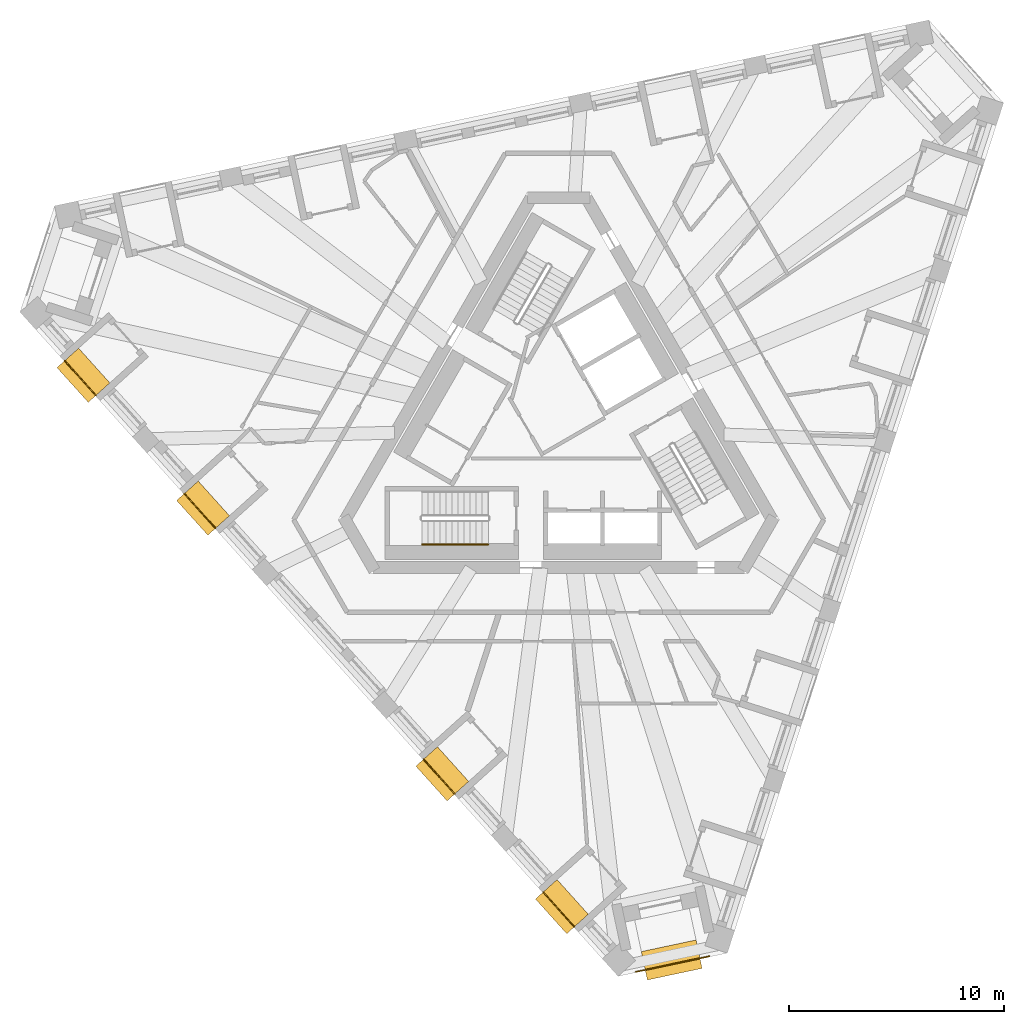
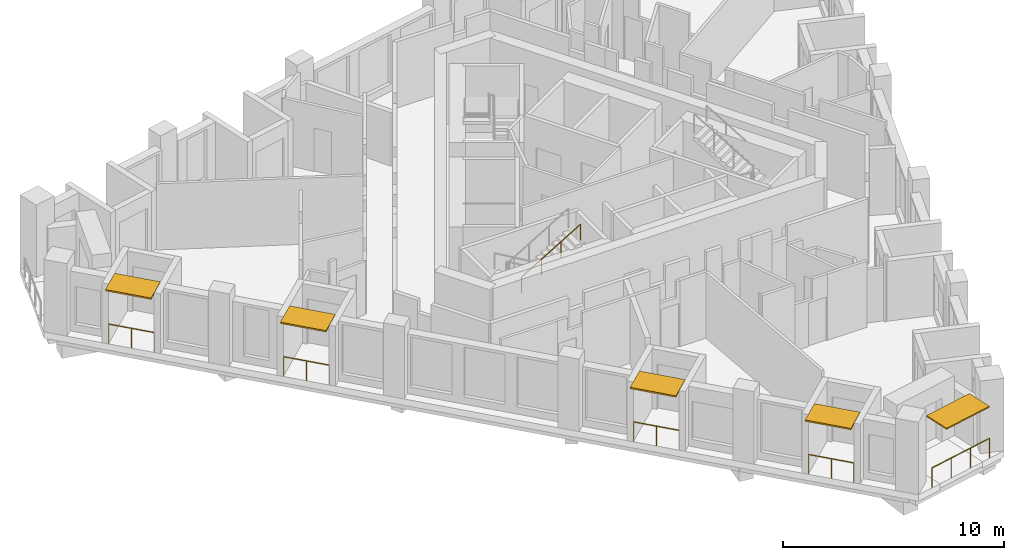
# One storey, part 9 of 12: 6 railings, 5 shading devices.
"""IFC4 building model written with IfcOpenShell, lengths in metres."""

from ifc_helpers import new_model, si_unit, direction, frame, origin, origin_2d, place, context, subcontext, project, spatial, rectangle, circle, extrude, material, layer, layer_set, type_object, element, save


model = new_model("IFC4")

# Units and contexts
model_context = context("Model", 3, precision=1e-05, world=origin(), true_north=direction((0.0, 1.0)))
body_context = subcontext(model_context, "Body", "Model", "MODEL_VIEW")
ifc_project = project(units=[si_unit("LENGTHUNIT", "METRE"), si_unit("AREAUNIT", "SQUARE_METRE"), si_unit("VOLUMEUNIT", "CUBIC_METRE"), si_unit("PLANEANGLEUNIT", "RADIAN"), si_unit("MASSUNIT", "GRAM", prefix="KILO")], contexts=[model_context])

# Site, building, storey
site_placement = place(None, origin())
site = spatial("IfcSite", under=ifc_project, at=site_placement, CompositionType="ELEMENT")
building_placement = place(site_placement, origin())
building = spatial("IfcBuilding", under=site, at=building_placement, Name="Tramontana Tower", CompositionType="ELEMENT")
storey_placement = place(building_placement, frame((0.0, 0.0, 332.39990234375)))
storey = spatial("IfcBuildingStorey", under=building, at=storey_placement, Name="L76", CompositionType="ELEMENT", Elevation=332.39990234375)

# Railings
ifc_material_1 = material(Name="Laminated glass balustrade", Category="glass")
railing_type_1 = type_object("IfcRailingType", Name="GD1 Loggia glass balustrade 1100", PredefinedType="BALUSTRADE", material=ifc_material_1)
railing_1_placement = place(storey_placement, frame((-22.977294921875, 3.146728515625, 0.0)))
element("IfcRailing", 1, at=railing_1_placement, inside=storey, type_object=railing_type_1, Name="Loggia balustrade L76 G8S0.1", PredefinedType="BALUSTRADE", context=body_context, shape_type="SweptSolid", body=[
    extrude(circle(Radius=0.02392578125, at=origin_2d()), frame((0.0, 0.0, 1.076171875), z_axis=(0.669082765552, -0.743187898745, 0.0), x_axis=(0.743187898745, 0.669082765552, 0.0)), (0.0, 0.0, 1.0), 2.171142578125),
    extrude(circle(Radius=0.02099609375, at=origin_2d()), origin(), (0.0, 0.0, 1.0), 1.052001953125),
    extrude(circle(Radius=0.02099609375, at=origin_2d()), frame((0.726318359375, -0.806640625, 0.0)), (0.0, 0.0, 1.0), 1.052001953125),
    extrude(circle(Radius=0.02099609375, at=origin_2d()), frame((1.45263671875, -1.613525390625, 0.0)), (0.0, 0.0, 1.0), 1.052001953125),
])
for number, where, name in (
    (2, (-17.414306640625, -3.03173828125, 0.0), "Loggia balustrade L76 G8S0.4"),
    (3, (-6.288330078125, -15.388427734375, 0.0), "Loggia balustrade L76 G8S0.10"),
):
    element("IfcRailing", number, at=place(storey_placement, frame(where)), inside=storey, type_object=railing_type_1, Name=name, PredefinedType="BALUSTRADE", context=body_context, shape_type="SweptSolid", body=[
        extrude(circle(Radius=0.02392578125, at=origin_2d()), frame((0.0, 0.0, 1.076171875), z_axis=(0.669144868344, -0.743131983681, 0.0), x_axis=(0.743131983681, 0.669144868344, 0.0)), (0.0, 0.0, 1.0), 2.171142578125),
        extrude(circle(Radius=0.02099609375, at=origin_2d()), origin(), (0.0, 0.0, 1.0), 1.052001953125),
        extrude(circle(Radius=0.02099609375, at=origin_2d()), frame((0.7265625, -0.806640625, 0.0)), (0.0, 0.0, 1.0), 1.052001953125),
        extrude(circle(Radius=0.02099609375, at=origin_2d()), frame((1.452880859375, -1.613525390625, 0.0)), (0.0, 0.0, 1.0), 1.052001953125),
    ])
railing_2_placement = place(storey_placement, frame((-0.72509765625, -21.56689453125, 0.0)))
element("IfcRailing", 4, at=railing_2_placement, inside=storey, type_object=railing_type_1, Name="Loggia balustrade L76 G8S0.13", PredefinedType="BALUSTRADE", context=body_context, shape_type="SweptSolid", body=[
    extrude(circle(Radius=0.02392578125, at=origin_2d()), frame((0.0, 0.0, 1.076171875), z_axis=(0.669082765552, -0.743187898745, 0.0), x_axis=(0.743187898745, 0.669082765552, 0.0)), (0.0, 0.0, 1.0), 2.171142578125),
    extrude(circle(Radius=0.02099609375, at=origin_2d()), origin(), (0.0, 0.0, 1.0), 1.052001953125),
    extrude(circle(Radius=0.02099609375, at=origin_2d()), frame((0.726318359375, -0.806640625, 0.0)), (0.0, 0.0, 1.0), 1.052001953125),
    extrude(circle(Radius=0.02099609375, at=origin_2d()), frame((1.45263671875, -1.613525390625, 0.0)), (0.0, 0.0, 1.0), 1.052001953125),
])
railing_3_placement = place(storey_placement, frame((7.00732421875, -24.549560546875, 0.0)))
element("IfcRailing", 5, at=railing_3_placement, inside=storey, type_object=railing_type_1, Name="Corner loggia balustrade L76 K81", PredefinedType="BALUSTRADE", context=body_context, shape_type="SweptSolid", body=[
    extrude(circle(Radius=0.02392578125, at=origin_2d()), frame((0.0, 0.0, 1.076171875), z_axis=(-0.978143070564, -0.20793300245, 0.0), x_axis=(0.20793300245, -0.978143070564, 0.0)), (0.0, 0.0, 1.0), 3.5),
    extrude(circle(Radius=0.02099609375, at=origin_2d()), origin(), (0.0, 0.0, 1.0), 1.052001953125),
    extrude(circle(Radius=0.02099609375, at=origin_2d()), frame((-1.14111328125, -0.24267578125, 0.0)), (0.0, 0.0, 1.0), 1.052001953125),
    extrude(circle(Radius=0.02099609375, at=origin_2d()), frame((-2.282470703125, -0.485107421875, 0.0)), (0.0, 0.0, 1.0), 1.052001953125),
    extrude(circle(Radius=0.02099609375, at=origin_2d()), frame((-3.423583984375, -0.727783203125, 0.0)), (0.0, 0.0, 1.0), 1.052001953125),
])

# Shading devices
ifc_material_2 = material(Name="Precast concrete 60 MPa", Category="concrete")
ifc_layer_1 = layer(ifc_material_2, 0.070068359375)
ifc_layer_set_1 = layer_set([ifc_layer_1], Name="SS2 Stone sunshade blade 70")
shading_device_type_1 = type_object("IfcShadingDeviceType", Name="SS2 Stone sunshade blade 70", PredefinedType="USERDEFINED", material=ifc_layer_set_1)
shading_device_placement = place(storey_placement, frame((5.2548828125, -24.72265625, 3.22998046875), z_axis=(0.0, 0.0, 1.0), x_axis=(-0.978147600734, -0.207911690818, 0.0)))
element("IfcShadingDevice", 6, at=shading_device_placement, inside=storey, type_object=shading_device_type_1, Name="Corner sunshade L76 K81", ObjectType="SUNSHADE", PredefinedType="USERDEFINED", context=body_context, shape_type="SweptSolid", body=[
    extrude(rectangle(XDim=2.60009765625, YDim=1.35009765625, at=origin_2d()), origin(), (0.0, 0.0, 1.0), 0.070068359375),
])
ifc_material_3 = material(Name="Precast concrete 60 MPa", Category="concrete")
ifc_layer_2 = layer(ifc_material_3, 0.080078125)
ifc_layer_set_2 = layer_set([ifc_layer_2], Name="SS3 Stone sunshade blade 80")
shading_device_type_2 = type_object("IfcShadingDeviceType", Name="SS3 Stone sunshade blade 80", PredefinedType="USERDEFINED", material=ifc_layer_set_2)
for number, where, z_axis, x_axis, name in (
    (7, (-22.10595703125, 2.470458984375, 3.219970703125), (0.0, 0.0, 1.0), (0.669130606359, -0.743144825477, 0.0), "Sunshade L76 G8S0.1"),
    (8, (-16.54296875, -3.7080078125, 3.219970703125), (0.0, 0.0, 1.0), (0.669130606359, -0.743144825477, 0.0), "Sunshade L76 G8S0.4"),
    (9, (-5.4169921875, -16.064697265625, 3.219970703125), (0.0, 0.0, 1.0), (0.669130606359, -0.743144825477, 0.0), "Sunshade L76 G8S0.10"),
    (10, (0.146240234375, -22.2431640625, 3.219970703125), (0.0, 0.0, 1.0), (0.669130606359, -0.743144825477, 0.0), "Sunshade L76 G8S0.13"),
):
    element("IfcShadingDevice", number, at=place(storey_placement, frame(where, z_axis=z_axis, x_axis=x_axis)), inside=storey, type_object=shading_device_type_2, Name=name, ObjectType="SUNSHADE", PredefinedType="USERDEFINED", context=body_context, shape_type="SweptSolid", body=[
        extrude(rectangle(XDim=2.17138671875, YDim=1.35009765625, at=origin_2d()), origin(), (0.0, 0.0, 1.0), 0.080078125),
    ])

# Railing
ifc_material_4 = material(Name="Painted steel", Category="steel")
railing_type_2 = type_object("IfcRailingType", Name="STAIR HANDRAIL 900", PredefinedType="HANDRAIL", material=ifc_material_4)
railing_4_placement = place(storey_placement, frame((-6.360107421875, -5.39990234375, 2.166748046875)))
element("IfcRailing", 11, at=railing_4_placement, inside=storey, type_object=railing_type_2, Name="L76 ST2 stair handrail 2", PredefinedType="HANDRAIL", context=body_context, shape_type="SweptSolid", body=[
    extrude(circle(Radius=0.02392578125, at=origin_2d()), frame((0.0, 0.0, 0.8759765625), z_axis=(0.859308565015, 0.0, 0.511457515432), x_axis=(0.0, 1.0, 0.0)), (0.0, 0.0, 1.0), 3.58447265625),
    extrude(circle(Radius=0.02099609375, at=origin_2d()), origin(), (0.0, 0.0, 1.0), 0.851806640625),
    extrude(circle(Radius=0.02099609375, at=origin_2d()), frame((1.026611328125, 0.0, 0.611083984375)), (0.0, 0.0, 1.0), 0.851806640625),
    extrude(circle(Radius=0.02099609375, at=origin_2d()), frame((2.053466796875, 0.0, 1.22216796875)), (0.0, 0.0, 1.0), 0.851806640625),
    extrude(circle(Radius=0.02099609375, at=origin_2d()), frame((3.080078125, 0.0, 1.833251953125)), (0.0, 0.0, 1.0), 0.851806640625),
])

save(model, "model.ifc")
